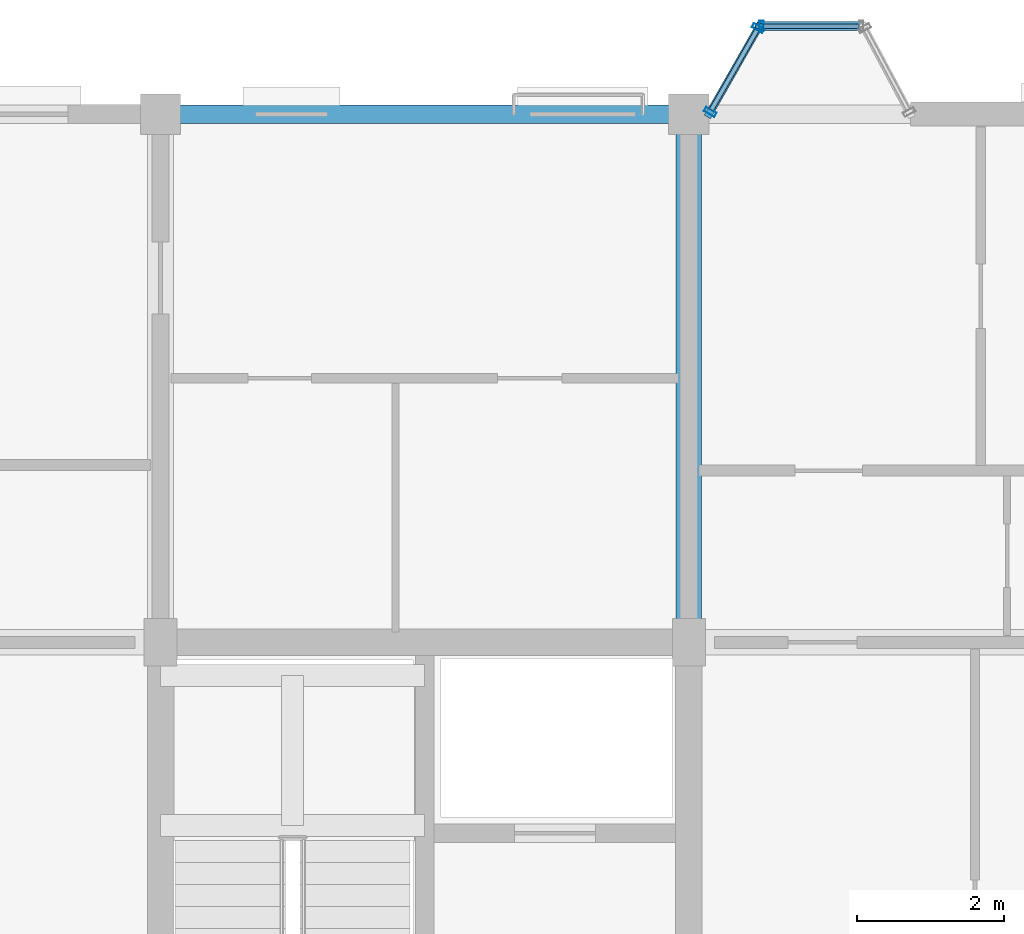
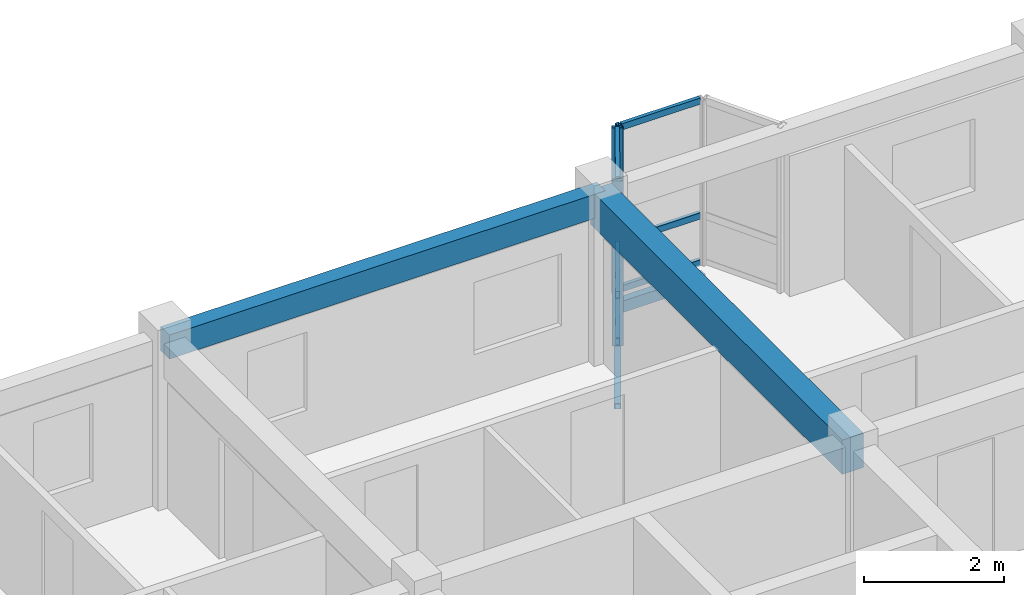
# One storey, part 43 of 79: 11 members, 2 beams, 2 elements without a shape of their own.
"""IFC4 building model written with IfcOpenShell, lengths in metres."""

from ifc_helpers import new_model, si_unit, direction, frame, origin, origin_2d, place, context, subcontext, project, spatial, rectangle, hollow_rectangle, extrude, material, layer, layer_set, material_profile, profile_set, type_object, element, aggregate, save


model = new_model("IFC4")

# Units and contexts
model_context = context("Model", 3, precision=1e-05, world=origin(), true_north=direction((0.0, 1.0)))
body_context = subcontext(model_context, "Body", "Model", "MODEL_VIEW")
ifc_project = project(units=[si_unit("LENGTHUNIT", "METRE"), si_unit("AREAUNIT", "SQUARE_METRE"), si_unit("VOLUMEUNIT", "CUBIC_METRE"), si_unit("PLANEANGLEUNIT", "RADIAN"), si_unit("MASSUNIT", "GRAM", prefix="KILO"), si_unit("THERMODYNAMICTEMPERATUREUNIT", "KELVIN"), si_unit("POWERUNIT", "WATT")], contexts=[model_context])

# Site, building, storey
site_placement = place(None, origin())
site = spatial("IfcSite", under=ifc_project, at=site_placement, CompositionType="ELEMENT")
building_placement = place(site_placement, origin())
building = spatial("IfcBuilding", under=site, at=building_placement, Name="Tavuni Mirador Residences", CompositionType="ELEMENT")
storey_placement = place(building_placement, frame((0.0, 0.0, 13.949951171875)))
storey = spatial("IfcBuildingStorey", under=building, at=storey_placement, Name="L04", CompositionType="ELEMENT", Elevation=13.949951171875)

# Beams
ifc_material_1 = material(Name="Precast concrete C40/50", Category="concrete")
ifc_material_profile_1 = material_profile(ifc_material_1, rectangle(XDim=0.35009765625, YDim=0.60009765625, at=origin_2d()), Name="PC 350x600", Category="concrete")
ifc_profile_set_1 = profile_set([ifc_material_profile_1], Name="Precast concrete C40/50")
beam_type_1 = type_object("IfcBeamType", Name="BT-B600", PredefinedType="BEAM", material=ifc_profile_set_1)
beam_1_placement = place(storey_placement, frame((32.39990234375, 165.60009765625, 2.5849609375), z_axis=(0.0, 1.0, 0.0), x_axis=(-1.0, 0.0, 0.0)))
element("IfcBeam", 1, at=beam_1_placement, inside=storey, type_object=beam_type_1, Name="BMY-BLK-C-L04-03-03", PredefinedType="BEAM", context=body_context, shape_type="SweptSolid", body=[
    extrude(rectangle(XDim=0.35009765625, YDim=0.60009765625, at=origin_2d()), origin(), (0.0, 0.0, 1.0), 7.199951171875),
])
ifc_material_profile_2 = material_profile(ifc_material_1, rectangle(XDim=0.25, YDim=0.419921875, at=origin_2d()), Name="PC 250x420", Category="concrete")
ifc_profile_set_2 = profile_set([ifc_material_profile_2], Name="Precast concrete C40/50")
beam_type_2 = type_object("IfcBeamType", Name="BT-SP420", PredefinedType="SPANDREL", material=ifc_profile_set_2)
beam_2_placement = place(storey_placement, frame((25.199951171875, 172.800048828125, 2.675048828125), z_axis=(1.0, 0.0, 0.0), x_axis=(0.0, 1.0, 0.0)))
element("IfcBeam", 2, at=beam_2_placement, inside=storey, type_object=beam_type_2, Name="BMX-BLK-C-L04-02-04", PredefinedType="SPANDREL", context=body_context, shape_type="SweptSolid", body=[
    extrude(rectangle(XDim=0.25, YDim=0.419921875, at=origin_2d()), origin(), (0.0, 0.0, 1.0), 7.199951171875),
])

# Curtain wall, member
ifc_material_2 = material(Name="Anodised aluminium", Category="aluminium")
ifc_layer_1 = layer(ifc_material_2, 0.1650390625, Name="Anodised aluminium", Category="aluminium")
ifc_layer_set_1 = layer_set([ifc_layer_1], Name="Anodised aluminium")
curtain_wall_type_1 = type_object("IfcCurtainWallType", Name="CWT-MIR-A", PredefinedType="NOTDEFINED", material=ifc_layer_set_1)
curtain_wall_1_placement = place(storey_placement, origin())
curtain_wall_1 = element("IfcCurtainWall", 3, at=curtain_wall_1_placement, inside=storey, type_object=curtain_wall_type_1, Name="CW-MIR-C-N2-L04-MF", PredefinedType="NOTDEFINED")
ifc_material_profile_3 = material_profile(ifc_material_2, hollow_rectangle(XDim=0.06005859375, YDim=0.139892578125, WallThickness=0.00390625, at=origin_2d()), Name="ALU 60x140x4.0", Category="aluminium")
ifc_profile_set_3 = profile_set([ifc_material_profile_3], Name="Anodised aluminium")
member_type_1 = type_object("IfcMemberType", Name="CWM-140", PredefinedType="MULLION", material=ifc_profile_set_3)
member_1_placement = place(storey_placement, frame((33.389892578125, 174.0, 0.0), z_axis=(0.0, 0.0, 1.0), x_axis=(-1.0, 0.0, 0.0)))
member_1 = element("IfcMember", 4, at=member_1_placement, type_object=member_type_1, Name="CW-01 mullion 2", PredefinedType="MULLION", context=body_context, shape_type="SweptSolid", body=[
    extrude(hollow_rectangle(XDim=0.06005859375, YDim=0.139892578125, WallThickness=0.00390625, at=origin_2d()), origin(), (0.0, 0.0, 1.0), 2.885009765625),
])

# Curtain wall, members
ifc_layer_2 = layer(ifc_material_2, 0.14990234375, Name="Anodised aluminium", Category="aluminium")
ifc_layer_set_2 = layer_set([ifc_layer_2], Name="Anodised aluminium")
curtain_wall_type_2 = type_object("IfcCurtainWallType", Name="CWT-MIR-B", PredefinedType="NOTDEFINED", material=ifc_layer_set_2)
curtain_wall_2_placement = place(storey_placement, origin())
curtain_wall_2 = element("IfcCurtainWall", 5, at=curtain_wall_2_placement, inside=storey, type_object=curtain_wall_type_2, Name="CW-MIR-C-N2-L04-M2", PredefinedType="NOTDEFINED")
ifc_material_profile_4 = material_profile(ifc_material_2, hollow_rectangle(XDim=0.06494140625, YDim=0.1650390625, WallThickness=0.00439453125, at=origin_2d()), Name="ALU 65x165x4.5", Category="aluminium")
ifc_profile_set_4 = profile_set([ifc_material_profile_4], Name="Anodised aluminium")
member_type_2 = type_object("IfcMemberType", Name="CWM-165", PredefinedType="MULLION", material=ifc_profile_set_4)
member_2_placement = place(storey_placement, frame((33.343994140625, 173.9716796875, 0.0), z_axis=(0.0, 0.0, 1.0), x_axis=(-0.495749192217, -0.868465738194, 0.0)))
member_2 = element("IfcMember", 6, at=member_2_placement, type_object=member_type_2, Name="CW-02 mullion 1", PredefinedType="MULLION", context=body_context, shape_type="SweptSolid", body=[
    extrude(hollow_rectangle(XDim=0.06494140625, YDim=0.1650390625, WallThickness=0.00439453125, at=origin_2d()), origin(), (0.0, 0.0, 1.0), 2.885009765625),
])
member_3_placement = place(storey_placement, frame((32.691162109375, 172.828125, 0.0), z_axis=(0.0, 0.0, 1.0), x_axis=(-0.495749192217, -0.868465738194, 0.0)))
member_3 = element("IfcMember", 7, at=member_3_placement, type_object=member_type_2, Name="CW-02 mullion 2", PredefinedType="MULLION", context=body_context, shape_type="SweptSolid", body=[
    extrude(hollow_rectangle(XDim=0.06494140625, YDim=0.1650390625, WallThickness=0.00439453125, at=origin_2d()), origin(), (0.0, 0.0, 1.0), 2.885009765625),
])

# Member
ifc_material_profile_5 = material_profile(ifc_material_2, hollow_rectangle(XDim=0.06005859375, YDim=0.110107421875, WallThickness=0.00390625, at=origin_2d()), Name="ALU 60x110x4.0", Category="aluminium")
ifc_profile_set_5 = profile_set([ifc_material_profile_5], Name="Anodised aluminium")
member_type_3 = type_object("IfcMemberType", Name="CWT-110", PredefinedType="USERDEFINED", material=ifc_profile_set_5)
member_4_placement = place(storey_placement, frame((34.719970703125, 174.0, 0.030029296875), z_axis=(-1.0, 0.0, 0.0), x_axis=(0.0, -1.0, 0.0)))
member_4 = element("IfcMember", 8, at=member_4_placement, type_object=member_type_3, Name="CW-01 transom 1.1", ObjectType="TRANSOM", PredefinedType="USERDEFINED", context=body_context, shape_type="SweptSolid", body=[
    extrude(hollow_rectangle(XDim=0.06005859375, YDim=0.110107421875, WallThickness=0.00390625, at=origin_2d()), origin(), (0.0, 0.0, 1.0), 1.300048828125),
])

member_5_placement = place(storey_placement, frame((34.719970703125, 174.0, 0.85009765625), z_axis=(-1.0, 0.0, 0.0), x_axis=(0.0, -1.0, 0.0)))
member_5 = element("IfcMember", 9, at=member_5_placement, type_object=member_type_3, Name="CW-01 transom 1.2", ObjectType="TRANSOM", PredefinedType="USERDEFINED", context=body_context, shape_type="SweptSolid", body=[
    extrude(hollow_rectangle(XDim=0.06005859375, YDim=0.110107421875, WallThickness=0.00390625, at=origin_2d()), origin(), (0.0, 0.0, 1.0), 1.300048828125),
])

member_6_placement = place(storey_placement, frame((34.719970703125, 174.0, 2.85498046875), z_axis=(-1.0, 0.0, 0.0), x_axis=(0.0, -1.0, 0.0)))
member_6 = element("IfcMember", 10, at=member_6_placement, type_object=member_type_3, Name="CW-01 transom 1.3", ObjectType="TRANSOM", PredefinedType="USERDEFINED", context=body_context, shape_type="SweptSolid", body=[
    extrude(hollow_rectangle(XDim=0.06005859375, YDim=0.110107421875, WallThickness=0.00390625, at=origin_2d()), origin(), (0.0, 0.0, 1.0), 1.300048828125),
])

aggregate(curtain_wall_1, [member_1, member_4, member_5, member_6])

ifc_material_profile_6 = material_profile(ifc_material_2, hollow_rectangle(XDim=0.06494140625, YDim=0.125, WallThickness=0.00439453125, at=origin_2d()), Name="ALU 65x125x4.5", Category="aluminium")
ifc_profile_set_6 = profile_set([ifc_material_profile_6], Name="Anodised aluminium")
member_type_4 = type_object("IfcMemberType", Name="CWT-125", PredefinedType="USERDEFINED", material=ifc_profile_set_6)
member_7_placement = place(storey_placement, frame((33.327880859375, 173.943603515625, 0.032470703125), z_axis=(-0.495760837306, -0.868459090685, 0.0), x_axis=(0.868459090685, -0.495760837306, 0.0)))
member_7 = element("IfcMember", 11, at=member_7_placement, type_object=member_type_4, Name="CW-02 transom 1.1", ObjectType="TRANSOM", PredefinedType="USERDEFINED", context=body_context, shape_type="SweptSolid", body=[
    extrude(hollow_rectangle(XDim=0.06494140625, YDim=0.125, WallThickness=0.00439453125, at=origin_2d()), origin(), (0.0, 0.0, 1.0), 1.251708984375),
])

member_8_placement = place(storey_placement, frame((33.327880859375, 173.943603515625, 0.85009765625), z_axis=(-0.495760837306, -0.868459090685, 0.0), x_axis=(0.868459090685, -0.495760837306, 0.0)))
member_8 = element("IfcMember", 12, at=member_8_placement, type_object=member_type_4, Name="CW-02 transom 1.2", ObjectType="TRANSOM", PredefinedType="USERDEFINED", context=body_context, shape_type="SweptSolid", body=[
    extrude(hollow_rectangle(XDim=0.06494140625, YDim=0.125, WallThickness=0.00439453125, at=origin_2d()), origin(), (0.0, 0.0, 1.0), 1.251708984375),
])

member_9_placement = place(storey_placement, frame((33.327880859375, 173.943603515625, 2.8525390625), z_axis=(-0.495760837306, -0.868459090685, 0.0), x_axis=(0.868459090685, -0.495760837306, 0.0)))
member_9 = element("IfcMember", 13, at=member_9_placement, type_object=member_type_4, Name="CW-02 transom 1.3", ObjectType="TRANSOM", PredefinedType="USERDEFINED", context=body_context, shape_type="SweptSolid", body=[
    extrude(hollow_rectangle(XDim=0.06494140625, YDim=0.125, WallThickness=0.00439453125, at=origin_2d()), origin(), (0.0, 0.0, 1.0), 1.251708984375),
])

aggregate(curtain_wall_2, [member_2, member_3, member_7, member_8, member_9])

# Members
ifc_material_3 = material(Name="Structural steel S355", Category="steel")
ifc_material_profile_7 = material_profile(ifc_material_3, hollow_rectangle(XDim=0.10009765625, YDim=0.179931640625, WallThickness=0.008056640625, at=origin_2d()), Name="RHS 180x100x8.0", Category="steel")
ifc_profile_set_7 = profile_set([ifc_material_profile_7], Name="Structural steel S355")
member_type_5 = type_object("IfcMemberType", Name="MT-BR-RHS180", PredefinedType="BRACE", material=ifc_profile_set_7)
member_10_placement = place(storey_placement, frame((32.675048828125, 172.800048828125, -1.050048828125), z_axis=(0.431062666154, 0.755050963701, 0.494047588863), x_axis=(-0.868438794398, 0.495796390047, 0.0)))
element("IfcMember", 14, at=member_10_placement, inside=storey, type_object=member_type_5, Name="MBRK-MIR-C-N2-L04-1", PredefinedType="BRACE", context=body_context, shape_type="SweptSolid", body=[
    extrude(hollow_rectangle(XDim=0.10009765625, YDim=0.179931640625, WallThickness=0.008056640625, at=origin_2d()), origin(), (0.0, 0.0, 1.0), 1.589111328125),
])
ifc_material_profile_8 = material_profile(ifc_material_3, hollow_rectangle(XDim=0.1201171875, YDim=0.199951171875, WallThickness=0.010009765625, at=origin_2d()), Name="RHS 200x120x10.0", Category="steel")
ifc_profile_set_8 = profile_set([ifc_material_profile_8], Name="Structural steel S355")
member_type_6 = type_object("IfcMemberType", Name="MT-ST-RHS200", PredefinedType="STRUT", material=ifc_profile_set_8)
member_11_placement = place(storey_placement, frame((33.360107421875, 174.0, -0.264892578125), z_axis=(1.0, 0.0, 0.0), x_axis=(0.0, 1.0, 0.0)))
element("IfcMember", 15, at=member_11_placement, inside=storey, type_object=member_type_6, Name="MRIM-MIR-C-N2-L04", PredefinedType="STRUT", context=body_context, shape_type="SweptSolid", body=[
    extrude(hollow_rectangle(XDim=0.1201171875, YDim=0.199951171875, WallThickness=0.010009765625, at=origin_2d()), origin(), (0.0, 0.0, 1.0), 1.419921875),
])

save(model, "model.ifc")
